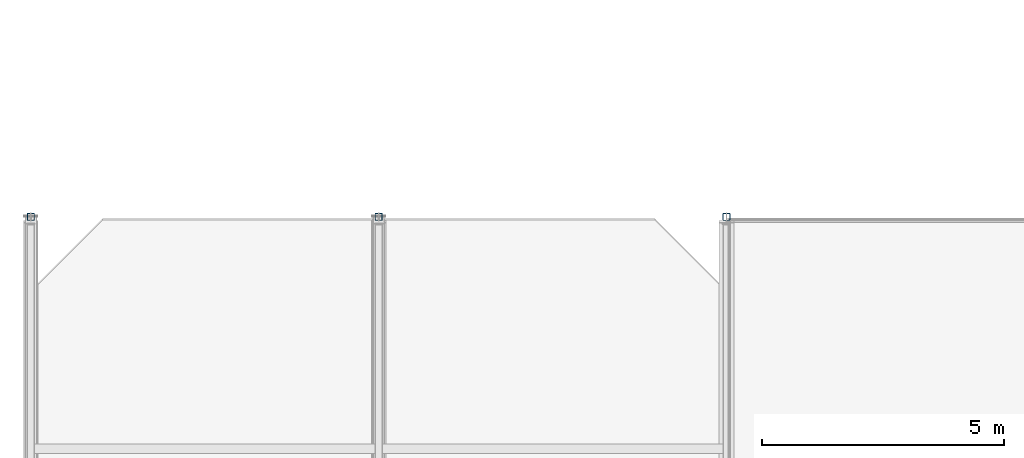
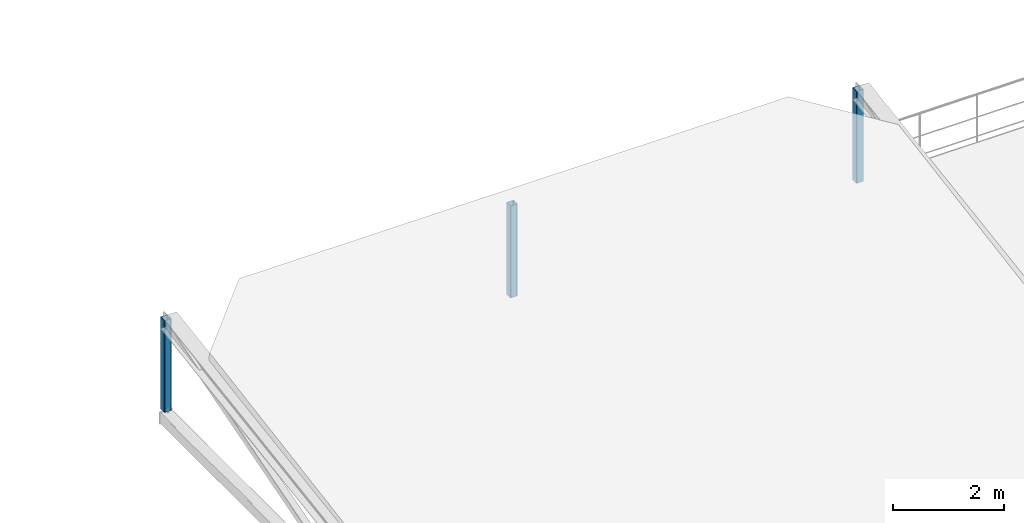
# One storey, part 13 of 136: 3 members.
"""IFC4 building model written with IfcOpenShell, lengths in metres."""

from ifc_helpers import new_model, si_unit, direction, frame, origin, origin_2d, place, context, subcontext, project, spatial, hollow_rectangle, extrude, material, material_profile, profile_set, type_object, element, save


model = new_model("IFC4")

# Units and contexts
model_context = context("Model", 3, precision=1e-05, world=origin(), true_north=direction((0.0, 1.0)))
body_context = subcontext(model_context, "Body", "Model", "MODEL_VIEW")
ifc_project = project(units=[si_unit("LENGTHUNIT", "METRE"), si_unit("AREAUNIT", "SQUARE_METRE"), si_unit("VOLUMEUNIT", "CUBIC_METRE"), si_unit("PLANEANGLEUNIT", "RADIAN"), si_unit("MASSUNIT", "GRAM", prefix="KILO")], contexts=[model_context])

# Site, building, storey
site_placement = place(None, origin())
site = spatial("IfcSite", under=ifc_project, at=site_placement, CompositionType="ELEMENT")
building_placement = place(site_placement, origin())
building = spatial("IfcBuilding", under=site, at=building_placement, Name="Koriwan Promenade Central Fire Station", CompositionType="ELEMENT")
storey_placement = place(building_placement, frame((0.0, 0.0, 5.39990234375)))
storey = spatial("IfcBuildingStorey", under=building, at=storey_placement, Name="L01", CompositionType="ELEMENT", Elevation=5.39990234375)

# Members
ifc_material = material(Name="Steel ASTM A500 Grade C", Category="steel")
ifc_material_profile = material_profile(ifc_material, hollow_rectangle(XDim=0.14990234375, YDim=0.14990234375, WallThickness=0.008056640625, InnerFilletRadius=0.008056640625, OuterFilletRadius=0.01611328125, at=origin_2d()), Name="HSS150x150x8")
ifc_profile_set = profile_set([ifc_material_profile], Name="Steel ASTM A500 Grade C")
member_type = type_object("IfcMemberType", Name="Member_STRUT_HSS150x150x8", PredefinedType="STRUT", material=ifc_profile_set)
for number, where, z_axis, x_axis, name in (
    (1, (0.0, 57.60009765625, 0.0), (0.0, 0.0, 1.0), (1.0, 0.0, 0.0), "V4 west pavilion truss 1 ridge vertical"),
    (2, (7.199951171875, 57.60009765625, 0.0), (0.0, 0.0, 1.0), (1.0, 0.0, 0.0), "V4 west pavilion truss 2 ridge vertical"),
    (3, (14.39990234375, 57.60009765625, 0.0), (0.0, 0.0, 1.0), (1.0, 0.0, 0.0), "V4 west pavilion truss 3 ridge vertical"),
):
    element("IfcMember", number, at=place(storey_placement, frame(where, z_axis=z_axis, x_axis=x_axis)), inside=storey, type_object=member_type, Name=name, PredefinedType="STRUT", context=body_context, shape_type="SweptSolid", body=[
        extrude(hollow_rectangle(XDim=0.14990234375, YDim=0.14990234375, WallThickness=0.008056640625, InnerFilletRadius=0.008056640625, OuterFilletRadius=0.01611328125, at=origin_2d()), origin(), (0.0, 0.0, 1.0), 2.02001953125),
    ])

save(model, "model.ifc")
